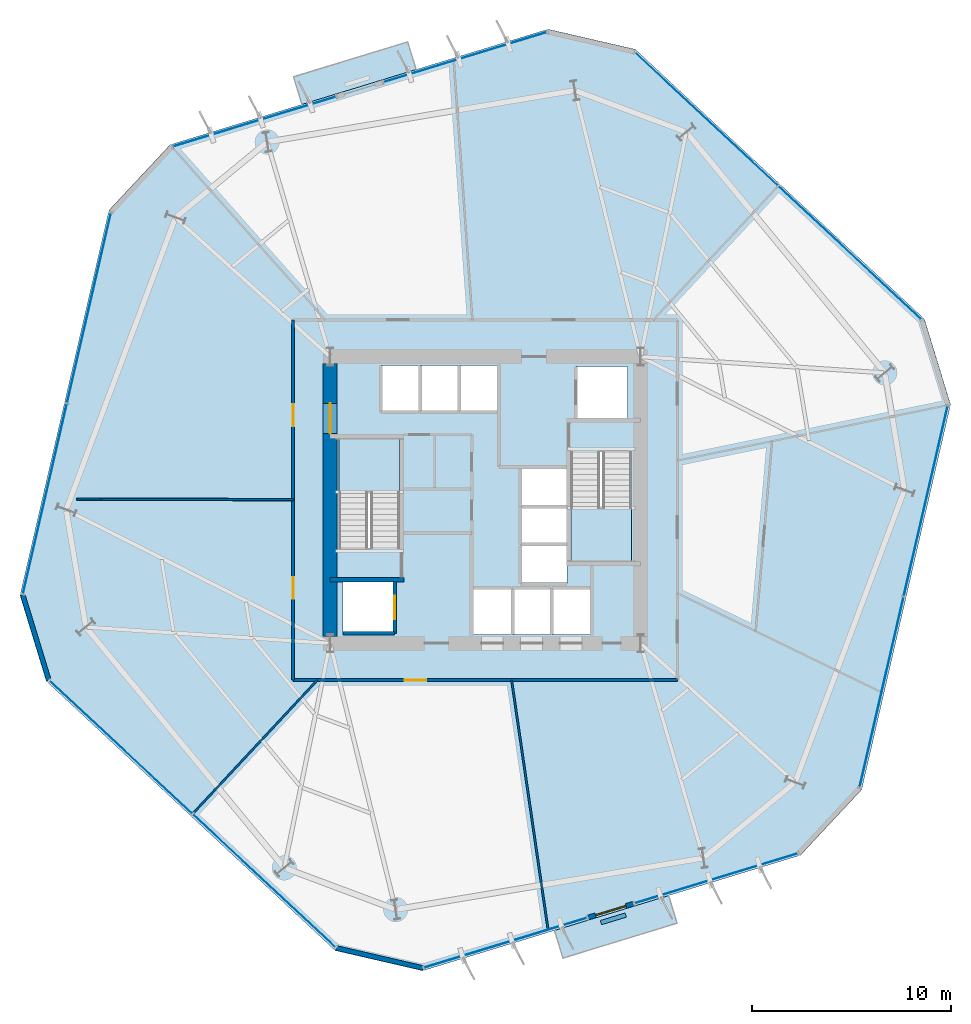
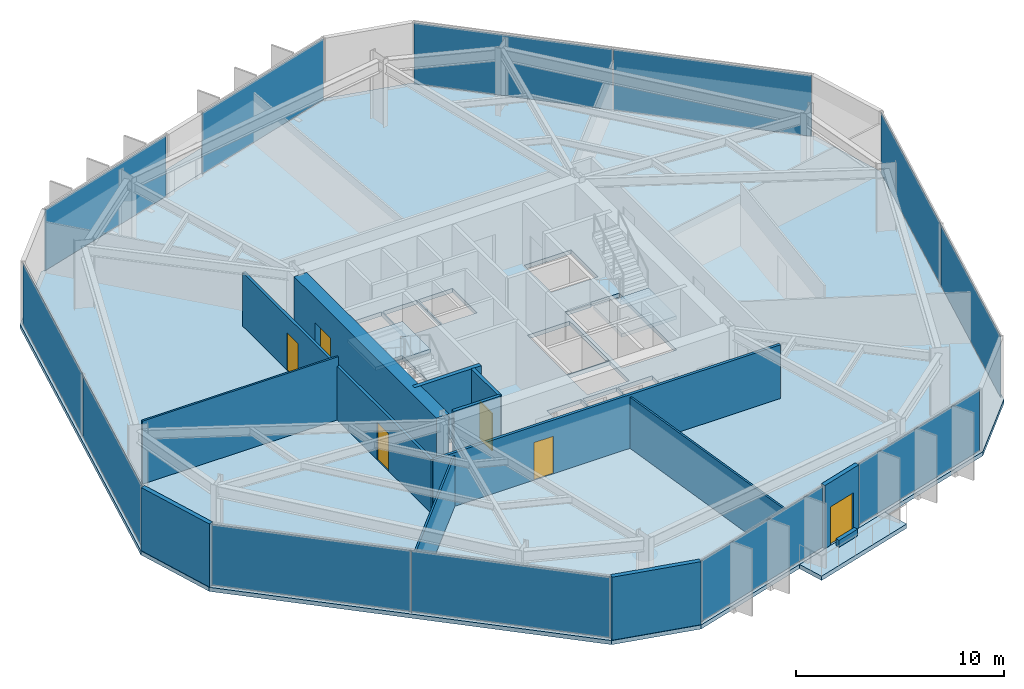
# One storey, part 5 of 9: 13 walls, 12 plates, 6 doors, 5 slabs, 6 openings, 10 elements without a shape of their own.
"""IFC4 building model written with IfcOpenShell, lengths in metres."""

from ifc_helpers import new_model, si_unit, direction, frame, frame_2d, origin, origin_2d, place, context, subcontext, project, spatial, polyline, rectangle, outline, extrude, material, layer, layer_set, type_object, element, fill, aggregate, save


model = new_model("IFC4")

# Units and contexts
model_context = context("Model", 3, precision=1e-05, world=origin(), true_north=direction((0.0, 1.0)))
body_context = subcontext(model_context, "Body", "Model", "MODEL_VIEW")
ifc_project = project(units=[si_unit("LENGTHUNIT", "METRE"), si_unit("AREAUNIT", "SQUARE_METRE"), si_unit("VOLUMEUNIT", "CUBIC_METRE"), si_unit("PLANEANGLEUNIT", "RADIAN"), si_unit("MASSUNIT", "GRAM", prefix="KILO")], contexts=[model_context])

# Site, building, storey
site_placement = place(None, origin())
site = spatial("IfcSite", under=ifc_project, at=site_placement, CompositionType="ELEMENT")
building_placement = place(site_placement, origin())
building = spatial("IfcBuilding", under=site, at=building_placement, Name="Kranzbogen Civic Tower", CompositionType="ELEMENT")
storey_placement = place(building_placement, frame((0.0, 0.0, 88.0)))
storey = spatial("IfcBuildingStorey", under=building, at=storey_placement, Name="L21", CompositionType="ELEMENT", Elevation=88.0)

# Slab
ifc_material_1 = material(Name="Concrete C40/50", Category="concrete")
ifc_layer_1 = layer(ifc_material_1, 0.239990234375, Name="Concrete C40/50")
ifc_layer_set_1 = layer_set([ifc_layer_1], Name="Concrete C40/50")
slab_type_1 = type_object("IfcSlabType", Name="Composite Lower Tower Floor Slab 240 mm", PredefinedType="FLOOR", material=ifc_layer_set_1)
slab_1_placement = place(storey_placement, frame((0.0, 0.0, -0.239990234375)))
element("IfcSlab", 1, at=slab_1_placement, inside=storey, type_object=slab_type_1, Name="L21 tower floor slab", PredefinedType="FLOOR", context=body_context, shape_type="SweptSolid", body=[
    extrude(outline(polyline([(47.06201171875, 34.097900390625), (32.537109375, 47.64306640625), (28.152099609375, 48.655029296875), (9.158935546875, 42.847900390625), (6.090087890625, 39.556884765625), (1.6220703125, 20.2060546875), (2.93798828125, 15.902099609375), (17.462890625, 2.35693359375), (21.847900390625, 1.344970703125), (40.841064453125, 7.152099609375), (43.909912109375, 10.443115234375), (48.3779296875, 29.7939453125), (47.06201171875, 34.097900390625)]), holes=[polyline([(26.300048828125, 20.60009765625), (26.300048828125, 18.25), (24.39990234375, 18.25), (24.39990234375, 20.60009765625), (26.300048828125, 20.60009765625)]), polyline([(28.27490234375, 18.25), (26.375, 18.25), (26.375, 20.60009765625), (28.27490234375, 20.60009765625), (28.27490234375, 18.25)]), polyline([(20.449951171875, 18.300048828125), (17.85009765625, 18.300048828125), (17.85009765625, 20.89990234375), (20.449951171875, 20.89990234375), (20.449951171875, 18.300048828125)]), polyline([(20.699951171875, 22.659912109375), (19.25, 22.659912109375), (19.25, 22.60009765625), (17.64990234375, 22.60009765625), (17.64990234375, 28.10009765625), (20.699951171875, 28.10009765625), (20.699951171875, 22.659912109375)]), polyline([(21.64990234375, 29.39990234375), (19.75, 29.39990234375), (19.75, 31.75), (21.64990234375, 31.75), (21.64990234375, 29.39990234375)]), polyline([(23.625, 29.39990234375), (21.72509765625, 29.39990234375), (21.72509765625, 31.75), (23.625, 31.75), (23.625, 29.39990234375)]), polyline([(25.60009765625, 31.75), (25.60009765625, 29.39990234375), (23.699951171875, 29.39990234375), (23.699951171875, 31.75), (25.60009765625, 31.75)]), polyline([(30.25, 18.25), (28.35009765625, 18.25), (28.35009765625, 20.60009765625), (30.25, 20.60009765625), (30.25, 18.25)]), polyline([(29.10009765625, 20.800048828125), (26.75, 20.800048828125), (26.75, 22.699951171875), (29.10009765625, 22.699951171875), (29.10009765625, 20.800048828125)]), polyline([(26.75, 26.550048828125), (29.10009765625, 26.550048828125), (29.10009765625, 24.675048828125), (29.10009765625, 24.64990234375), (29.10009765625, 22.77490234375), (26.75, 22.77490234375), (26.75, 24.64990234375), (26.75, 24.675048828125), (26.75, 26.550048828125)]), polyline([(30.75, 27.340087890625), (30.75, 27.39990234375), (32.35009765625, 27.39990234375), (32.35009765625, 21.89990234375), (29.300048828125, 21.89990234375), (29.300048828125, 27.340087890625), (30.75, 27.340087890625)]), polyline([(32.14990234375, 29.10009765625), (29.550048828125, 29.10009765625), (29.550048828125, 31.699951171875), (32.14990234375, 31.699951171875), (32.14990234375, 29.10009765625)])]), origin(), (0.0, 0.0, 1.0), 0.239990234375),
])

# Curtain wall, plates
ifc_material_2 = material(Name="Pale Anodised Aluminium", Category="aluminium")
ifc_layer_2 = layer(ifc_material_2, 0.219970703125, Name="Pale Anodised Aluminium")
ifc_layer_set_2 = layer_set([ifc_layer_2], Name="Pale Anodised Aluminium")
curtain_wall_type = type_object("IfcCurtainWallType", Name="Zone 1 Stick Curtain Wall System CW-02", PredefinedType="USERDEFINED", material=ifc_layer_set_2)
curtain_wall_1_placement = place(storey_placement, origin())
curtain_wall_1 = element("IfcCurtainWall", 2, at=curtain_wall_1_placement, inside=storey, type_object=curtain_wall_type, Name="L21 curtain wall CW-L21-F1", ObjectType="STICK CURTAIN WALL", PredefinedType="USERDEFINED")
ifc_material_3 = material(Name="Low-E Triple Glazing Glass", Category="glass")
ifc_layer_3 = layer(ifc_material_3, 0.033935546875, Name="Low-E Triple Glazing Glass")
ifc_layer_set_3 = layer_set([ifc_layer_3], Name="Low-E Triple Glazing Glass")
plate_type = type_object("IfcPlateType", Name="Insulated Low-E Glazing Panel 34 mm", PredefinedType="CURTAIN_PANEL", material=ifc_layer_set_3)
plate_1_placement = place(storey_placement, frame((43.31201171875, 37.42138671875, 0.06005859375), z_axis=(0.0, 0.0, 1.0), x_axis=(-0.731366783593, 0.681984331093, 0.0)))
plate_1 = element("IfcPlate", 3, at=plate_1_placement, type_object=plate_type, Name="CW-02 panel 1.1", PredefinedType="CURTAIN_PANEL", context=body_context, shape_type="SweptSolid", body=[
    extrude(rectangle(XDim=9.781982421875, YDim=0.028076171875, at=origin_2d()), origin(), (0.0, 0.0, 1.0), 3.580078125),
])
plate_2_placement = place(storey_placement, frame((36.114013671875, 44.133544921875, 0.06005859375), z_axis=(0.0, 0.0, 1.0), x_axis=(-0.731366783593, 0.681984331093, 0.0)))
plate_2 = element("IfcPlate", 4, at=plate_2_placement, type_object=plate_type, Name="CW-02 panel 2.1", PredefinedType="CURTAIN_PANEL", context=body_context, shape_type="SweptSolid", body=[
    extrude(rectangle(XDim=9.781982421875, YDim=0.028076171875, at=origin_2d()), origin(), (0.0, 0.0, 1.0), 3.580078125),
])
aggregate(curtain_wall_1, [plate_1, plate_2])

# Curtain wall, plate
curtain_wall_2_placement = place(storey_placement, origin())
curtain_wall_2 = element("IfcCurtainWall", 5, at=curtain_wall_2_placement, inside=storey, type_object=curtain_wall_type, Name="L21 curtain wall CW-L21-F2-S1", ObjectType="STICK CURTAIN WALL", PredefinedType="USERDEFINED")
plate_3_placement = place(storey_placement, frame((23.987060546875, 47.248046875, 0.06005859375), z_axis=(0.0, 0.0, 1.0), x_axis=(-0.956296060209, -0.29240014574, 0.0)))
plate_3 = element("IfcPlate", 6, at=plate_3_placement, type_object=plate_type, Name="CW-02 panel 1.1", PredefinedType="CURTAIN_PANEL", context=body_context, shape_type="SweptSolid", body=[
    extrude(rectangle(XDim=8.552978515625, YDim=0.028076171875, at=origin_2d()), origin(), (0.0, 0.0, 1.0), 3.580078125),
])
aggregate(curtain_wall_2, [plate_3])

curtain_wall_3_placement = place(storey_placement, origin())
curtain_wall_3 = element("IfcCurtainWall", 7, at=curtain_wall_3_placement, inside=storey, type_object=curtain_wall_type, Name="L21 curtain wall CW-L21-F2-S2", ObjectType="STICK CURTAIN WALL", PredefinedType="USERDEFINED")
plate_4_placement = place(storey_placement, frame((13.3984375, 44.010498046875, 0.06005859375), z_axis=(0.0, 0.0, 1.0), x_axis=(-0.956318442996, -0.292326932707, 0.0)))
plate_4 = element("IfcPlate", 8, at=plate_4_placement, type_object=plate_type, Name="CW-02 panel 1.1", PredefinedType="CURTAIN_PANEL", context=body_context, shape_type="SweptSolid", body=[
    extrude(rectangle(XDim=8.5517578125, YDim=0.028076171875, at=origin_2d()), origin(), (0.0, 0.0, 1.0), 3.580078125),
])
aggregate(curtain_wall_3, [plate_4])

# Curtain wall, plates
curtain_wall_4_placement = place(storey_placement, origin())
curtain_wall_4 = element("IfcCurtainWall", 9, at=curtain_wall_4_placement, inside=storey, type_object=curtain_wall_type, Name="L21 curtain wall CW-L21-F3", ObjectType="STICK CURTAIN WALL", PredefinedType="USERDEFINED")
plate_5_placement = place(storey_placement, frame((5.087158203125, 34.64794921875, 0.06005859375), z_axis=(0.0, 0.0, 1.0), x_axis=(-0.224977873109, -0.974363872797, 0.0)))
plate_5 = element("IfcPlate", 10, at=plate_5_placement, type_object=plate_type, Name="CW-02 panel 1.1", PredefinedType="CURTAIN_PANEL", context=body_context, shape_type="SweptSolid", body=[
    extrude(rectangle(XDim=9.781982421875, YDim=0.028076171875, at=origin_2d()), origin(), (0.0, 0.0, 1.0), 3.580078125),
])
plate_6_placement = place(storey_placement, frame((2.872802734375, 25.05810546875, 0.06005859375), z_axis=(0.0, 0.0, 1.0), x_axis=(-0.224977873109, -0.974363872797, 0.0)))
plate_6 = element("IfcPlate", 11, at=plate_6_placement, type_object=plate_type, Name="CW-02 panel 2.1", PredefinedType="CURTAIN_PANEL", context=body_context, shape_type="SweptSolid", body=[
    extrude(rectangle(XDim=9.781982421875, YDim=0.028076171875, at=origin_2d()), origin(), (0.0, 0.0, 1.0), 3.580078125),
])
aggregate(curtain_wall_4, [plate_5, plate_6])

curtain_wall_5_placement = place(storey_placement, origin())
curtain_wall_5 = element("IfcCurtainWall", 12, at=curtain_wall_5_placement, inside=storey, type_object=curtain_wall_type, Name="L21 curtain wall CW-L21-F4", ObjectType="STICK CURTAIN WALL", PredefinedType="USERDEFINED")
plate_7_placement = place(storey_placement, frame((6.68798828125, 12.57861328125, 0.06005859375), z_axis=(0.0, 0.0, 1.0), x_axis=(0.731366783593, -0.681984331093, 0.0)))
plate_7 = element("IfcPlate", 13, at=plate_7_placement, type_object=plate_type, Name="CW-02 panel 1.1", PredefinedType="CURTAIN_PANEL", context=body_context, shape_type="SweptSolid", body=[
    extrude(rectangle(XDim=9.781982421875, YDim=0.028076171875, at=origin_2d()), origin(), (0.0, 0.0, 1.0), 3.580078125),
])
plate_8_placement = place(storey_placement, frame((13.885986328125, 5.866455078125, 0.06005859375), z_axis=(0.0, 0.0, 1.0), x_axis=(0.731366783593, -0.681984331093, 0.0)))
plate_8 = element("IfcPlate", 14, at=plate_8_placement, type_object=plate_type, Name="CW-02 panel 2.1", PredefinedType="CURTAIN_PANEL", context=body_context, shape_type="SweptSolid", body=[
    extrude(rectangle(XDim=9.781982421875, YDim=0.028076171875, at=origin_2d()), origin(), (0.0, 0.0, 1.0), 3.580078125),
])
aggregate(curtain_wall_5, [plate_7, plate_8])

# Curtain wall, plate
curtain_wall_6_placement = place(storey_placement, origin())
curtain_wall_6 = element("IfcCurtainWall", 15, at=curtain_wall_6_placement, inside=storey, type_object=curtain_wall_type, Name="L21 curtain wall CW-L21-F5-S1", ObjectType="STICK CURTAIN WALL", PredefinedType="USERDEFINED")
plate_9_placement = place(storey_placement, frame((26.012939453125, 2.751953125, 0.06005859375), z_axis=(0.0, 0.0, 1.0), x_axis=(0.956296060209, 0.29240014574, 0.0)))
plate_9 = element("IfcPlate", 16, at=plate_9_placement, type_object=plate_type, Name="CW-02 panel 1.1", PredefinedType="CURTAIN_PANEL", context=body_context, shape_type="SweptSolid", body=[
    extrude(rectangle(XDim=8.552978515625, YDim=0.028076171875, at=origin_2d()), origin(), (0.0, 0.0, 1.0), 3.580078125),
])
aggregate(curtain_wall_6, [plate_9])

curtain_wall_7_placement = place(storey_placement, origin())
curtain_wall_7 = element("IfcCurtainWall", 17, at=curtain_wall_7_placement, inside=storey, type_object=curtain_wall_type, Name="L21 curtain wall CW-L21-F5-S2", ObjectType="STICK CURTAIN WALL", PredefinedType="USERDEFINED")
plate_10_placement = place(storey_placement, frame((36.6015625, 5.989501953125, 0.06005859375), z_axis=(0.0, 0.0, 1.0), x_axis=(0.956318442996, 0.292326932707, 0.0)))
plate_10 = element("IfcPlate", 18, at=plate_10_placement, type_object=plate_type, Name="CW-02 panel 1.1", PredefinedType="CURTAIN_PANEL", context=body_context, shape_type="SweptSolid", body=[
    extrude(rectangle(XDim=8.5517578125, YDim=0.028076171875, at=origin_2d()), origin(), (0.0, 0.0, 1.0), 3.580078125),
])
aggregate(curtain_wall_7, [plate_10])

# Curtain wall, plates
curtain_wall_8_placement = place(storey_placement, origin())
curtain_wall_8 = element("IfcCurtainWall", 19, at=curtain_wall_8_placement, inside=storey, type_object=curtain_wall_type, Name="L21 curtain wall CW-L21-F6", ObjectType="STICK CURTAIN WALL", PredefinedType="USERDEFINED")
plate_11_placement = place(storey_placement, frame((44.912841796875, 15.35205078125, 0.06005859375), z_axis=(0.0, 0.0, 1.0), x_axis=(0.224977873109, 0.974363872797, 0.0)))
plate_11 = element("IfcPlate", 20, at=plate_11_placement, type_object=plate_type, Name="CW-02 panel 1.1", PredefinedType="CURTAIN_PANEL", context=body_context, shape_type="SweptSolid", body=[
    extrude(rectangle(XDim=9.781982421875, YDim=0.028076171875, at=origin_2d()), origin(), (0.0, 0.0, 1.0), 3.580078125),
])
plate_12_placement = place(storey_placement, frame((47.127197265625, 24.94189453125, 0.06005859375), z_axis=(0.0, 0.0, 1.0), x_axis=(0.224977873109, 0.974363872797, 0.0)))
plate_12 = element("IfcPlate", 21, at=plate_12_placement, type_object=plate_type, Name="CW-02 panel 2.1", PredefinedType="CURTAIN_PANEL", context=body_context, shape_type="SweptSolid", body=[
    extrude(rectangle(XDim=9.781982421875, YDim=0.028076171875, at=origin_2d()), origin(), (0.0, 0.0, 1.0), 3.580078125),
])
aggregate(curtain_wall_8, [plate_11, plate_12])

# Stair, slab
ifc_material_4 = material(Name="Precast concrete C40/50", Category="concrete")
stair_type_1 = type_object("IfcStairType", Name="Tower Core Pressurized Dogleg Stair 1450", PredefinedType="HALF_TURN_STAIR", material=ifc_material_4)
stair_1_placement = place(storey_placement, origin())
stair_1 = element("IfcStair", 22, at=stair_1_placement, inside=storey, type_object=stair_type_1, Name="L21 Tower Core Pressurized Stair 1", PredefinedType="HALF_TURN_STAIR")
ifc_layer_4 = layer(ifc_material_4, 0.199951171875, Name="Precast concrete C40/50")
ifc_layer_set_4 = layer_set([ifc_layer_4], Name="Precast concrete C40/50")
slab_type_2 = type_object("IfcSlabType", Name="Precast Concrete Stair Landing Slab 200 mm", PredefinedType="LANDING", material=ifc_layer_set_4)
slab_2_placement = place(storey_placement, frame((0.0, 0.0, 1.800048828125)))
slab_2 = element("IfcSlab", 23, at=slab_2_placement, type_object=slab_type_2, Name="ST-T1 landing 1", PredefinedType="LANDING", context=body_context, shape_type="SweptSolid", body=[
    extrude(outline(polyline([(20.699951171875, 25.39990234375), (20.699951171875, 28.10009765625), (17.64990234375, 28.10009765625), (17.64990234375, 25.39990234375), (20.699951171875, 25.39990234375)])), origin(), (0.0, 0.0, 1.0), 0.199951171875),
])
aggregate(stair_1, [slab_2])

stair_type_2 = type_object("IfcStairType", Name="Tower Core Secondary Dogleg Stair 1450", PredefinedType="HALF_TURN_STAIR", material=ifc_material_4)
stair_2_placement = place(storey_placement, origin())
stair_2 = element("IfcStair", 24, at=stair_2_placement, inside=storey, type_object=stair_type_2, Name="L21 Tower Core Pressurized Stair 2", PredefinedType="HALF_TURN_STAIR")
slab_3_placement = place(storey_placement, frame((0.0, 0.0, 1.800048828125)))
slab_3 = element("IfcSlab", 25, at=slab_3_placement, type_object=slab_type_2, Name="ST-T2 landing 1", PredefinedType="LANDING", context=body_context, shape_type="SweptSolid", body=[
    extrude(outline(polyline([(29.300048828125, 24.60009765625), (29.300048828125, 21.89990234375), (32.35009765625, 21.89990234375), (32.35009765625, 24.60009765625), (29.300048828125, 24.60009765625)])), origin(), (0.0, 0.0, 1.0), 0.199951171875),
])
aggregate(stair_2, [slab_3])

# Slabs
ifc_layer_5 = layer(ifc_material_1, 0.25, Name="Concrete C40/50")
ifc_layer_set_5 = layer_set([ifc_layer_5], Name="Concrete C40/50")
slab_type_3 = type_object("IfcSlabType", Name="Tree Balcony Cantilevered Slab 250 mm", PredefinedType="FLOOR", material=ifc_layer_set_5)
slab_4_placement = place(storey_placement, frame((0.0, 0.0, -0.25)))
element("IfcSlab", 26, at=slab_4_placement, inside=storey, type_object=slab_type_3, Name="L21 cantilevered tree balcony L21-TB1", PredefinedType="FLOOR", context=body_context, shape_type="SweptSolid", body=[
    extrude(outline(polyline([(28.47607421875, 3.37109375), (34.212890625, 5.125), (34.636962890625, 3.738037109375), (28.89990234375, 1.98388671875), (28.47607421875, 3.37109375)])), origin(), (0.0, 0.0, 1.0), 0.25),
])
slab_5_placement = place(storey_placement, frame((0.0, 0.0, -0.25)))
element("IfcSlab", 27, at=slab_5_placement, inside=storey, type_object=slab_type_3, Name="L21 cantilevered tree balcony L21-TB2", PredefinedType="FLOOR", context=body_context, shape_type="SweptSolid", body=[
    extrude(outline(polyline([(21.52392578125, 46.62890625), (15.787109375, 44.875), (15.363037109375, 46.261962890625), (21.10009765625, 48.01611328125), (21.52392578125, 46.62890625)])), origin(), (0.0, 0.0, 1.0), 0.25),
])

# Wall, opening, door
ifc_material_5 = material(Name="Double-Stud Acoustic Gypsum Partition")
ifc_layer_6 = layer(ifc_material_5, 0.14990234375, Name="Double-Stud Acoustic Gypsum Partition")
ifc_layer_set_6 = layer_set([ifc_layer_6], Name="Double-Stud Acoustic Gypsum Partition")
wall_type_1 = type_object("IfcWallType", Name="Acoustic Corridor and Clinical Partition 150 mm", PredefinedType="PARTITIONING", material=ifc_layer_set_6)
wall_1_placement = place(storey_placement, frame((34.64990234375, 15.949951171875, 0.0), z_axis=(0.0, 0.0, 1.0), x_axis=(-1.0, 0.0, 0.0)))
wall_1 = element("IfcWall", 28, at=wall_1_placement, inside=storey, type_object=wall_type_1, Name="L21 corridor partition 03", PredefinedType="PARTITIONING", context=body_context, shape_type="SweptSolid", body=[
    extrude(rectangle(XDim=19.2998046875, YDim=0.14990234375, at=frame_2d((9.64990234375, 0.0))), origin(), (0.0, 0.0, 1.0), 3.14990234375),
])
opening_1_placement = place(wall_1_placement, frame((12.60791015625, 0.0, 0.0)))
opening_1 = element("IfcOpeningElement", 29, at=opening_1_placement, cuts=wall_1, Name="Opening D-COR60", PredefinedType="OPENING", context=body_context, shape_type="SweptSolid", body=[
    extrude(rectangle(XDim=1.10009765625, YDim=2.199951171875, at=frame_2d((0.550048828125, 1.10009765625))), frame((0.0, 0.0849609375, 0.0), z_axis=(0.0, -1.0, 0.0), x_axis=(1.0, 0.0, 0.0)), (0.0, 0.0, 1.0), 0.169921875),
])
ifc_material_6 = material(Name="Oak Timber and Fire Core", Category="wood")
door_type_1 = type_object("IfcDoorType", Name="Corridor Acoustic Fire Door 1100x2200", OperationType="NOTDEFINED", PredefinedType="DOOR", material=ifc_material_6)
door_1_placement = place(opening_1_placement, origin())
door_1 = element("IfcDoor", 30, at=door_1_placement, inside=storey, type_object=door_type_1, Name="L21 Directorate Admin Workspace door", OperationType="SINGLE_SWING_RIGHT", OverallHeight=2.199951171875, OverallWidth=1.10009765625, PredefinedType="DOOR", context=body_context, shape_type="SweptSolid", body=[
    extrude(rectangle(XDim=1.10009765625, YDim=2.199951171875, at=frame_2d((0.550048828125, 1.10009765625))), frame((0.0, 0.02490234375, 0.0), z_axis=(0.0, -1.0, 0.0), x_axis=(1.0, 0.0, 0.0)), (0.0, 0.0, 1.0), 0.050048828125),
])
fill(opening_1, door_1)

# Wall, openings, doors
wall_2_placement = place(storey_placement, frame((15.35009765625, 15.949951171875, 0.0), z_axis=(0.0, 0.0, 1.0), x_axis=(0.0, 1.0, 0.0)))
wall_2 = element("IfcWall", 31, at=wall_2_placement, inside=storey, type_object=wall_type_1, Name="L21 corridor partition 04", PredefinedType="PARTITIONING", context=body_context, shape_type="SweptSolid", body=[
    extrude(rectangle(XDim=18.10009765625, YDim=0.14990234375, at=frame_2d((9.050048828125, 0.0))), origin(), (0.0, 0.0, 1.0), 3.14990234375),
])
opening_2_placement = place(wall_2_placement, frame((4.0791015625, 0.0, 0.0)))
opening_2 = element("IfcOpeningElement", 32, at=opening_2_placement, cuts=wall_2, Name="Opening D-COR60", PredefinedType="OPENING", context=body_context, shape_type="SweptSolid", body=[
    extrude(rectangle(XDim=1.10009765625, YDim=2.199951171875, at=frame_2d((0.550048828125, 1.10009765625))), frame((0.0, 0.0849609375, 0.0), z_axis=(0.0, -1.0, 0.0), x_axis=(1.0, 0.0, 0.0)), (0.0, 0.0, 1.0), 0.169921875),
])
opening_3_placement = place(wall_2_placement, frame((12.761962890625, 0.0, 0.0)))
opening_3 = element("IfcOpeningElement", 33, at=opening_3_placement, cuts=wall_2, Name="Opening D-COR60", PredefinedType="OPENING", context=body_context, shape_type="SweptSolid", body=[
    extrude(rectangle(XDim=1.10009765625, YDim=2.199951171875, at=frame_2d((0.550048828125, 1.10009765625))), frame((0.0, 0.0849609375, 0.0), z_axis=(0.0, -1.0, 0.0), x_axis=(1.0, 0.0, 0.0)), (0.0, 0.0, 1.0), 0.169921875),
])
door_2_placement = place(opening_2_placement, origin())
door_2 = element("IfcDoor", 34, at=door_2_placement, inside=storey, type_object=door_type_1, Name="L21 Ministerial Policy Office door", OperationType="SINGLE_SWING_LEFT", OverallHeight=2.199951171875, OverallWidth=1.10009765625, PredefinedType="DOOR", context=body_context, shape_type="SweptSolid", body=[
    extrude(rectangle(XDim=1.10009765625, YDim=2.199951171875, at=frame_2d((0.550048828125, 1.10009765625))), frame((0.0, 0.02490234375, 0.0), z_axis=(0.0, -1.0, 0.0), x_axis=(1.0, 0.0, 0.0)), (0.0, 0.0, 1.0), 0.050048828125),
])
fill(opening_2, door_2)
door_3_placement = place(opening_3_placement, origin())
door_3 = element("IfcDoor", 35, at=door_3_placement, inside=storey, type_object=door_type_1, Name="L21 Delegates Sitting Lounge door", OperationType="SINGLE_SWING_LEFT", OverallHeight=2.199951171875, OverallWidth=1.10009765625, PredefinedType="DOOR", context=body_context, shape_type="SweptSolid", body=[
    extrude(rectangle(XDim=1.10009765625, YDim=2.199951171875, at=frame_2d((0.550048828125, 1.10009765625))), frame((0.0, 0.02490234375, 0.0), z_axis=(0.0, -1.0, 0.0), x_axis=(1.0, 0.0, 0.0)), (0.0, 0.0, 1.0), 0.050048828125),
])
fill(opening_3, door_3)

# Wall
ifc_material_7 = material(Name="Architectural Precast Terracotta Concrete C40/50", Category="masonry")
ifc_layer_7 = layer(ifc_material_7, 0.219970703125, Name="Architectural Precast Terracotta Concrete C40/50")
ifc_layer_set_7 = layer_set([ifc_layer_7], Name="Architectural Precast Terracotta Concrete C40/50")
wall_type_2 = type_object("IfcWallType", Name="Architectural Tree Planter Kerb Wall 220 mm", PredefinedType="USERDEFINED", material=ifc_layer_set_7)
wall_3_placement = place(storey_placement, frame((30.81201171875, 3.76708984375, 0.0), z_axis=(0.0, 0.0, 1.0), x_axis=(0.956393819486, 0.292080232212, 0.0)))
element("IfcWall", 36, at=wall_3_placement, inside=storey, type_object=wall_type_2, Name="L21 landscaped tree balcony planter L21-TB1", ObjectType="PLANTER_WALL", PredefinedType="USERDEFINED", context=body_context, shape_type="SweptSolid", body=[
    extrude(rectangle(XDim=1.300537109375, YDim=0.219970703125, at=frame_2d((0.650390625, 0.0))), origin(), (0.0, 0.0, 1.0), 0.39990234375),
])

# Wall, opening, door
ifc_material_8 = material(Name="Concrete C55/67", Category="concrete")
ifc_layer_8 = layer(ifc_material_8, 0.699951171875, Name="Concrete C55/67")
ifc_layer_set_8 = layer_set([ifc_layer_8], Name="Concrete C55/67")
wall_type_3 = type_object("IfcWallType", Name="Central Core Shear Wall 700 mm", PredefinedType="SHEAR", material=ifc_layer_set_8)
wall_4_placement = place(storey_placement, frame((17.199951171875, 31.85009765625, 0.0), z_axis=(0.0, 0.0, 1.0), x_axis=(0.0, -1.0, 0.0)))
wall_4 = element("IfcWall", 37, at=wall_4_placement, inside=storey, type_object=wall_type_3, Name="L21 central core West shear wall", PredefinedType="SHEAR", context=body_context, shape_type="SweptSolid", body=[
    extrude(rectangle(XDim=13.7001953125, YDim=0.699951171875, at=frame_2d((6.85009765625, 0.0))), origin(), (0.0, 0.0, 1.0), 3.699951171875),
])
opening_4_placement = place(wall_4_placement, frame((2.0, 0.0, 0.0)))
opening_4 = element("IfcOpeningElement", 38, at=opening_4_placement, cuts=wall_4, Name="Opening D-DBL15", PredefinedType="OPENING", context=body_context, shape_type="SweptSolid", body=[
    extrude(rectangle(XDim=1.5, YDim=2.199951171875, at=frame_2d((0.75, 1.10009765625))), frame((0.0, 0.35986328125, 0.0), z_axis=(0.0, -1.0, 0.0), x_axis=(1.0, 0.0, 0.0)), (0.0, 0.0, 1.0), 0.719970703125),
])
ifc_material_9 = material(Name="Anodised Bronze and Glass", Category="glass")
door_type_2 = type_object("IfcDoorType", Name="Civic Lobby Double Door 1500x2200", OperationType="DOUBLE_DOOR_SINGLE_SWING", PredefinedType="DOOR", material=ifc_material_9)
door_4_placement = place(opening_4_placement, origin())
door_4 = element("IfcDoor", 39, at=door_4_placement, inside=storey, type_object=door_type_2, Name="L21 Central Lift Lobby West concourse door", OperationType="DOUBLE_DOOR_SINGLE_SWING", OverallHeight=2.199951171875, OverallWidth=1.5, PredefinedType="DOOR", context=body_context, shape_type="SweptSolid", body=[
    extrude(rectangle(XDim=1.5, YDim=2.199951171875, at=frame_2d((0.75, 1.10009765625))), frame((0.0, 0.02490234375, 0.0), z_axis=(0.0, -1.0, 0.0), x_axis=(1.0, 0.0, 0.0)), (0.0, 0.0, 1.0), 0.050048828125),
])
fill(opening_4, door_4)

# Walls
ifc_material_10 = material(Name="Concrete C45/55", Category="concrete")
ifc_layer_9 = layer(ifc_material_10, 0.219970703125, Name="Concrete C45/55")
ifc_layer_set_9 = layer_set([ifc_layer_9], Name="Concrete C45/55")
wall_type_4 = type_object("IfcWallType", Name="Core Internal Stair Structural Wall 220 mm", PredefinedType="SOLIDWALL", material=ifc_layer_set_9)
wall_5_placement = place(storey_placement, frame((17.199951171875, 20.989990234375, 0.0), z_axis=(0.0, 0.0, 1.0), x_axis=(1.0, 0.0, 0.0)))
element("IfcWall", 40, at=wall_5_placement, inside=storey, type_object=wall_type_4, Name="L21 ST-T1 South structural stair wall", PredefinedType="SOLIDWALL", context=body_context, shape_type="SweptSolid", body=[
    extrude(rectangle(XDim=3.719970703125, YDim=0.219970703125, at=frame_2d((1.85986328125, 0.0))), origin(), (0.0, 0.0, 1.0), 3.699951171875),
])
ifc_material_11 = material(Name="Demountable Aluminium and Gypsum Partition", Category="aluminium")
ifc_layer_10 = layer(ifc_material_11, 0.10009765625, Name="Demountable Aluminium and Gypsum Partition")
ifc_layer_set_10 = layer_set([ifc_layer_10], Name="Demountable Aluminium and Gypsum Partition")
wall_type_5 = type_object("IfcWallType", Name="Demountable Office Partition 100 mm", PredefinedType="MOVABLE", material=ifc_layer_set_10)
wall_6_placement = place(storey_placement, frame((15.35009765625, 25.01904296875, 0.0), z_axis=(0.0, 0.0, 1.0), x_axis=(-0.999998133571, 0.001932059658, 0.0)))
element("IfcWall", 41, at=wall_6_placement, inside=storey, type_object=wall_type_5, Name="L21 radial room partition 04", PredefinedType="MOVABLE", context=body_context, shape_type="SweptSolid", body=[
    extrude(rectangle(XDim=10.8671875, YDim=0.10009765625, at=frame_2d((5.43359375, 0.0))), origin(), (0.0, 0.0, 1.0), 3.699951171875),
])
wall_7_placement = place(storey_placement, frame((16.56103515625, 15.949951171875, 0.0), z_axis=(0.0, 0.0, 1.0), x_axis=(-0.682067130349, -0.731289566244, 0.0)))
element("IfcWall", 42, at=wall_7_placement, inside=storey, type_object=wall_type_5, Name="L21 radial room partition 05", PredefinedType="MOVABLE", context=body_context, shape_type="SweptSolid", body=[
    extrude(rectangle(XDim=9.180908203125, YDim=0.10009765625, at=frame_2d((4.59033203125, 0.0))), origin(), (0.0, 0.0, 1.0), 3.0),
])
wall_8_placement = place(storey_placement, frame((26.322021484375, 15.949951171875, 0.0), z_axis=(0.0, 0.0, 1.0), x_axis=(0.144474493425, -0.989508524849, 0.0)))
element("IfcWall", 43, at=wall_8_placement, inside=storey, type_object=wall_type_5, Name="L21 radial room partition 06", PredefinedType="MOVABLE", context=body_context, shape_type="SweptSolid", body=[
    extrude(rectangle(XDim=12.65869140625, YDim=0.10009765625, at=frame_2d((6.329345703125, 0.0))), origin(), (0.0, 0.0, 1.0), 3.0),
])

# Wall, opening, door
ifc_material_12 = material(Name="Gypsum Fireboard Shaftliner")
ifc_layer_11 = layer(ifc_material_12, 0.175048828125, Name="Gypsum Fireboard Shaftliner")
ifc_layer_set_11 = layer_set([ifc_layer_11], Name="Gypsum Fireboard Shaftliner")
wall_type_6 = type_object("IfcWallType", Name="Fire-Rated Lift and Service Shaft Wall 175 mm", PredefinedType="PARTITIONING", material=ifc_layer_set_11)
wall_9_placement = place(storey_placement, frame((20.449951171875, 18.300048828125, 0.0), z_axis=(0.0, 0.0, 1.0), x_axis=(0.0, 1.0, 0.0)))
wall_9 = element("IfcWall", 44, at=wall_9_placement, inside=storey, type_object=wall_type_6, Name="L21 lift FF-01 landing wall", PredefinedType="PARTITIONING", context=body_context, shape_type="SweptSolid", body=[
    extrude(rectangle(XDim=2.599853515625, YDim=0.175048828125, at=frame_2d((1.2998046875, 0.0))), origin(), (0.0, 0.0, 1.0), 3.699951171875),
])
opening_5_placement = place(wall_9_placement, frame((0.699951171875, 0.0, 0.0)))
opening_5 = element("IfcOpeningElement", 45, at=opening_5_placement, cuts=wall_9, Name="Opening LD-FF-01", PredefinedType="OPENING", context=body_context, shape_type="SweptSolid", body=[
    extrude(rectangle(XDim=1.199951171875, YDim=2.199951171875, at=frame_2d((0.60009765625, 1.10009765625))), frame((0.0, 0.09765625, 0.0), z_axis=(0.0, -1.0, 0.0), x_axis=(1.0, 0.0, 0.0)), (0.0, 0.0, 1.0), 0.195068359375),
])
door_type_3 = type_object("IfcDoorType", Name="Firefighting and Stretcher Lift Sliding Landing Door 1200x2200", OperationType="DOUBLE_DOOR_SLIDING", PredefinedType="DOOR", material=ifc_material_2)
door_5_placement = place(opening_5_placement, origin())
door_5 = element("IfcDoor", 46, at=door_5_placement, inside=storey, type_object=door_type_3, Name="L21 lift FF-01 sliding landing door", OperationType="DOUBLE_DOOR_SLIDING", OverallHeight=2.199951171875, OverallWidth=1.199951171875, PredefinedType="DOOR", context=body_context, shape_type="SweptSolid", body=[
    extrude(rectangle(XDim=1.199951171875, YDim=2.199951171875, at=frame_2d((0.60009765625, 1.10009765625))), frame((0.0, 0.02490234375, 0.0), z_axis=(0.0, -1.0, 0.0), x_axis=(1.0, 0.0, 0.0)), (0.0, 0.0, 1.0), 0.050048828125),
])
fill(opening_5, door_5)

# Walls
wall_10_placement = place(storey_placement, frame((17.85009765625, 18.300048828125, 0.0), z_axis=(0.0, 0.0, 1.0), x_axis=(1.0, 0.0, 0.0)))
element("IfcWall", 47, at=wall_10_placement, inside=storey, type_object=wall_type_6, Name="L21 lift FF-01 side wall", PredefinedType="PARTITIONING", context=body_context, shape_type="SweptSolid", body=[
    extrude(rectangle(XDim=2.599853515625, YDim=0.175048828125, at=frame_2d((1.2998046875, 0.0))), origin(), (0.0, 0.0, 1.0), 3.699951171875),
])
ifc_layer_12 = layer(ifc_material_2, 0.239990234375, Name="Pale Anodised Aluminium")
ifc_layer_set_12 = layer_set([ifc_layer_12], Name="Pale Anodised Aluminium")
wall_type_7 = type_object("IfcWallType", Name="Insulated Aluminium Facade Portal Wall 240 mm", PredefinedType="STANDARD", material=ifc_layer_set_12)
wall_11_placement = place(storey_placement, frame((1.759033203125, 20.23388671875, 0.0), z_axis=(0.0, 0.0, 1.0), x_axis=(0.292310029535, -0.956323609786, 0.0)))
element("IfcWall", 48, at=wall_11_placement, inside=storey, type_object=wall_type_7, Name="L21 chamfered corner facade spandrel 3", PredefinedType="STANDARD", context=body_context, shape_type="SweptSolid", body=[
    extrude(rectangle(XDim=4.47412109375, YDim=0.239990234375, at=frame_2d((2.237060546875, 0.0))), origin(), (0.0, 0.0, 1.0), 3.699951171875),
])
wall_12_placement = place(storey_placement, frame((17.507080078125, 2.489990234375, 0.0), z_axis=(0.0, 0.0, 1.0), x_axis=(0.974381076881, -0.224903350388, 0.0)))
element("IfcWall", 49, at=wall_12_placement, inside=storey, type_object=wall_type_7, Name="L21 chamfered corner facade spandrel 4", PredefinedType="STANDARD", context=body_context, shape_type="SweptSolid", body=[
    extrude(rectangle(XDim=4.473388671875, YDim=0.239990234375, at=frame_2d((2.23681640625, 0.0))), origin(), (0.0, 0.0, 1.0), 3.699951171875),
])

# Wall, opening, door
wall_13_placement = place(storey_placement, frame((30.159912109375, 4.02001953125, 0.0), z_axis=(0.0, 0.0, 1.0), x_axis=(0.956281264577, 0.292448530546, 0.0)))
wall_13 = element("IfcWall", 50, at=wall_13_placement, inside=storey, type_object=wall_type_7, Name="L21 exterior entrance portal wall 1", PredefinedType="STANDARD", context=body_context, shape_type="SweptSolid", body=[
    extrude(rectangle(XDim=2.400146484375, YDim=0.239990234375, at=frame_2d((1.2001953125, 0.0))), origin(), (0.0, 0.0, 1.0), 3.699951171875),
])
opening_6_placement = place(wall_13_placement, frame((0.39990234375, 0.0, 0.0)))
opening_6 = element("IfcOpeningElement", 51, at=opening_6_placement, cuts=wall_13, Name="Opening D-TER", PredefinedType="OPENING", context=body_context, shape_type="SweptSolid", body=[
    extrude(rectangle(XDim=1.60009765625, YDim=2.25, at=frame_2d((0.800048828125, 1.125))), frame((0.0, 0.1298828125, 0.0), z_axis=(0.0, -1.0, 0.0), x_axis=(1.0, 0.0, 0.0)), (0.0, 0.0, 1.0), 0.260009765625),
])
ifc_material_13 = material(Name="Anodised Bronze and Triple Glass", Category="glass")
door_type_4 = type_object("IfcDoorType", Name="Glazed Terrace and Balcony Double Door 1600x2250", OperationType="DOUBLE_DOOR_SINGLE_SWING", PredefinedType="DOOR", material=ifc_material_13)
door_6_placement = place(opening_6_placement, frame((1.60009765625, 0.0, 0.0), z_axis=(0.0, 0.0, 1.0), x_axis=(-1.0, 0.0, 0.0)))
door_6 = element("IfcDoor", 52, at=door_6_placement, inside=storey, type_object=door_type_4, Name="L21 tree balcony access door L21-TB1", OperationType="DOUBLE_DOOR_SINGLE_SWING", OverallHeight=2.25, OverallWidth=1.60009765625, PredefinedType="DOOR", context=body_context, shape_type="SweptSolid", body=[
    extrude(rectangle(XDim=1.60009765625, YDim=2.25, at=frame_2d((0.800048828125, 1.125))), frame((0.0, 0.02490234375, 0.0), z_axis=(0.0, -1.0, 0.0), x_axis=(1.0, 0.0, 0.0)), (0.0, 0.0, 1.0), 0.050048828125),
])
fill(opening_6, door_6)

save(model, "model.ifc")
